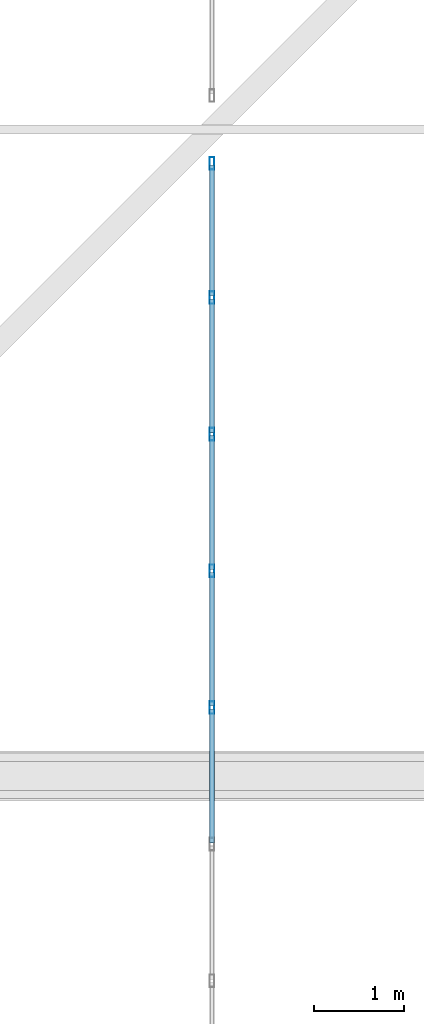
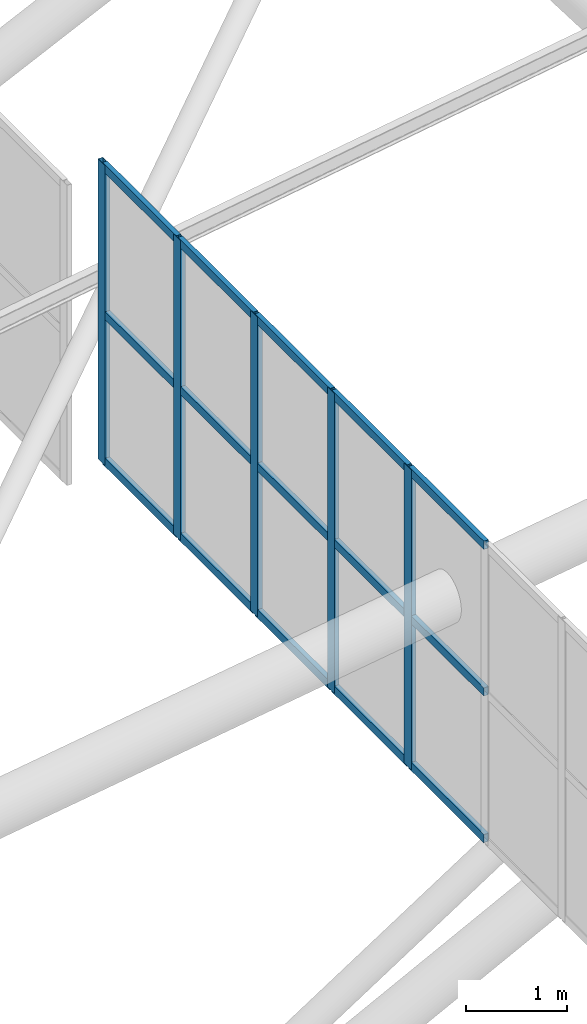
# One storey, part 185 of 397: 20 members, 1 element without a shape of its own.
"""IFC4 building model written with IfcOpenShell, lengths in metres."""

from ifc_helpers import new_model, si_unit, direction, frame, origin, origin_2d, place, context, subcontext, project, spatial, hollow_rectangle, extrude, material, material_profile, profile_set, type_object, element, aggregate, save


model = new_model("IFC4")

# Units and contexts
model_context = context("Model", 3, precision=1e-05, world=origin(), true_north=direction((0.0, 1.0)))
body_context = subcontext(model_context, "Body", "Model", "MODEL_VIEW")
ifc_project = project(units=[si_unit("LENGTHUNIT", "METRE"), si_unit("AREAUNIT", "SQUARE_METRE"), si_unit("VOLUMEUNIT", "CUBIC_METRE"), si_unit("PLANEANGLEUNIT", "RADIAN"), si_unit("MASSUNIT", "GRAM", prefix="KILO")], contexts=[model_context])

# Site, building, storey
site_placement = place(None, origin())
site = spatial("IfcSite", under=ifc_project, at=site_placement, CompositionType="ELEMENT")
building_placement = place(site_placement, origin())
building = spatial("IfcBuilding", under=site, at=building_placement, Name="Qandorah Velis Arena", CompositionType="ELEMENT")
storey_placement = place(building_placement, frame((0.0, 0.0, 27.5)))
storey = spatial("IfcBuildingStorey", under=building, at=storey_placement, Name="RF", CompositionType="ELEMENT", Elevation=27.5)

# Curtain wall, members
ifc_material_1 = material(Name="Solar-control low-E double glazing", Category="glass")
curtain_wall_type = type_object("IfcCurtainWallType", Name="ARC-CW-SYS10", PredefinedType="USERDEFINED", material=ifc_material_1)
curtain_wall_placement = place(storey_placement, origin())
curtain_wall = element("IfcCurtainWall", 1, at=curtain_wall_placement, inside=storey, type_object=curtain_wall_type, Name="Unitised curtain wall MON-1-4", ObjectType="UNITISED CURTAIN WALL", PredefinedType="USERDEFINED")
ifc_material_2 = material(Name="Champagne-bronze anodized aluminium 6063-T6", Category="aluminium")
ifc_material_profile_1 = material_profile(ifc_material_2, hollow_rectangle(XDim=0.054931640625, YDim=0.139892578125, WallThickness=0.0029296875, at=origin_2d()), Name="ALU MULLION 55x140")
ifc_profile_set_1 = profile_set([ifc_material_profile_1], Name="Champagne-bronze anodized aluminium 6063-T6")
member_type_1 = type_object("IfcMemberType", Name="ARC-CWM-140", PredefinedType="MULLION", material=ifc_profile_set_1)
member_1_placement = place(storey_placement, frame((21.60009765625, 72.76123046875, 5.830322265625), z_axis=(0.0, 0.0, 1.0), x_axis=(-1.0, 0.0, 0.0)))
member_1 = element("IfcMember", 2, at=member_1_placement, type_object=member_type_1, Name="CW10 mullion 6", PredefinedType="MULLION", context=body_context, shape_type="SweptSolid", body=[
    extrude(hollow_rectangle(XDim=0.054931640625, YDim=0.139892578125, WallThickness=0.0029296875, at=origin_2d()), origin(), (0.0, 0.0, 1.0), 3.6298828125),
])
member_2_placement = place(storey_placement, frame((21.60009765625, 74.283447265625, 5.830322265625), z_axis=(0.0, 0.0, 1.0), x_axis=(-1.0, 0.0, 0.0)))
member_2 = element("IfcMember", 3, at=member_2_placement, type_object=member_type_1, Name="CW10 mullion 7", PredefinedType="MULLION", context=body_context, shape_type="SweptSolid", body=[
    extrude(hollow_rectangle(XDim=0.054931640625, YDim=0.139892578125, WallThickness=0.0029296875, at=origin_2d()), origin(), (0.0, 0.0, 1.0), 3.6298828125),
])
member_3_placement = place(storey_placement, frame((21.60009765625, 75.8056640625, 5.830322265625), z_axis=(0.0, 0.0, 1.0), x_axis=(-1.0, 0.0, 0.0)))
member_3 = element("IfcMember", 4, at=member_3_placement, type_object=member_type_1, Name="CW10 mullion 8", PredefinedType="MULLION", context=body_context, shape_type="SweptSolid", body=[
    extrude(hollow_rectangle(XDim=0.054931640625, YDim=0.139892578125, WallThickness=0.0029296875, at=origin_2d()), origin(), (0.0, 0.0, 1.0), 3.6298828125),
])
member_4_placement = place(storey_placement, frame((21.60009765625, 77.327880859375, 5.830322265625), z_axis=(0.0, 0.0, 1.0), x_axis=(-1.0, 0.0, 0.0)))
member_4 = element("IfcMember", 5, at=member_4_placement, type_object=member_type_1, Name="CW10 mullion 9", PredefinedType="MULLION", context=body_context, shape_type="SweptSolid", body=[
    extrude(hollow_rectangle(XDim=0.054931640625, YDim=0.139892578125, WallThickness=0.0029296875, at=origin_2d()), origin(), (0.0, 0.0, 1.0), 3.6298828125),
])
member_5_placement = place(storey_placement, frame((21.60009765625, 78.822509765625, 5.830322265625), z_axis=(0.0, 0.0, 1.0), x_axis=(-1.0, 0.0, 0.0)))
member_5 = element("IfcMember", 6, at=member_5_placement, type_object=member_type_1, Name="CW10 mullion 10", PredefinedType="MULLION", context=body_context, shape_type="SweptSolid", body=[
    extrude(hollow_rectangle(XDim=0.054931640625, YDim=0.139892578125, WallThickness=0.0029296875, at=origin_2d()), origin(), (0.0, 0.0, 1.0), 3.6298828125),
])
ifc_material_profile_2 = material_profile(ifc_material_2, hollow_rectangle(XDim=0.054931640625, YDim=0.10009765625, WallThickness=0.0029296875, at=origin_2d()), Name="ALU TRANSOM 55x100")
ifc_profile_set_2 = profile_set([ifc_material_profile_2], Name="Champagne-bronze anodized aluminium 6063-T6")
member_type_2 = type_object("IfcMemberType", Name="ARC-CWT-100", PredefinedType="USERDEFINED", material=ifc_profile_set_2)
member_6_placement = place(storey_placement, frame((21.60009765625, 71.25439453125, 5.872802734375), z_axis=(0.0, 1.0, 0.0), x_axis=(-1.0, 0.0, 0.0)))
member_6 = element("IfcMember", 7, at=member_6_placement, type_object=member_type_2, Name="CW10 transom 5.1", ObjectType="TRANSOM", PredefinedType="USERDEFINED", context=body_context, shape_type="SweptSolid", body=[
    extrude(hollow_rectangle(XDim=0.054931640625, YDim=0.10009765625, WallThickness=0.0029296875, at=origin_2d()), origin(), (0.0, 0.0, 1.0), 1.4912109375),
])
member_7_placement = place(storey_placement, frame((21.60009765625, 71.25439453125, 7.645263671875), z_axis=(0.0, 1.0, 0.0), x_axis=(-1.0, 0.0, 0.0)))
member_7 = element("IfcMember", 8, at=member_7_placement, type_object=member_type_2, Name="CW10 transom 5.2", ObjectType="TRANSOM", PredefinedType="USERDEFINED", context=body_context, shape_type="SweptSolid", body=[
    extrude(hollow_rectangle(XDim=0.054931640625, YDim=0.10009765625, WallThickness=0.0029296875, at=origin_2d()), origin(), (0.0, 0.0, 1.0), 1.4912109375),
])
member_8_placement = place(storey_placement, frame((21.60009765625, 71.25439453125, 9.417724609375), z_axis=(0.0, 1.0, 0.0), x_axis=(-1.0, 0.0, 0.0)))
member_8 = element("IfcMember", 9, at=member_8_placement, type_object=member_type_2, Name="CW10 transom 5.3", ObjectType="TRANSOM", PredefinedType="USERDEFINED", context=body_context, shape_type="SweptSolid", body=[
    extrude(hollow_rectangle(XDim=0.054931640625, YDim=0.10009765625, WallThickness=0.0029296875, at=origin_2d()), origin(), (0.0, 0.0, 1.0), 1.4912109375),
])
member_9_placement = place(storey_placement, frame((21.60009765625, 72.776611328125, 5.872802734375), z_axis=(0.0, 1.0, 0.0), x_axis=(-1.0, 0.0, 0.0)))
member_9 = element("IfcMember", 10, at=member_9_placement, type_object=member_type_2, Name="CW10 transom 6.1", ObjectType="TRANSOM", PredefinedType="USERDEFINED", context=body_context, shape_type="SweptSolid", body=[
    extrude(hollow_rectangle(XDim=0.054931640625, YDim=0.10009765625, WallThickness=0.0029296875, at=origin_2d()), origin(), (0.0, 0.0, 1.0), 1.4912109375),
])
member_10_placement = place(storey_placement, frame((21.60009765625, 72.776611328125, 7.645263671875), z_axis=(0.0, 1.0, 0.0), x_axis=(-1.0, 0.0, 0.0)))
member_10 = element("IfcMember", 11, at=member_10_placement, type_object=member_type_2, Name="CW10 transom 6.2", ObjectType="TRANSOM", PredefinedType="USERDEFINED", context=body_context, shape_type="SweptSolid", body=[
    extrude(hollow_rectangle(XDim=0.054931640625, YDim=0.10009765625, WallThickness=0.0029296875, at=origin_2d()), origin(), (0.0, 0.0, 1.0), 1.4912109375),
])
member_11_placement = place(storey_placement, frame((21.60009765625, 72.776611328125, 9.417724609375), z_axis=(0.0, 1.0, 0.0), x_axis=(-1.0, 0.0, 0.0)))
member_11 = element("IfcMember", 12, at=member_11_placement, type_object=member_type_2, Name="CW10 transom 6.3", ObjectType="TRANSOM", PredefinedType="USERDEFINED", context=body_context, shape_type="SweptSolid", body=[
    extrude(hollow_rectangle(XDim=0.054931640625, YDim=0.10009765625, WallThickness=0.0029296875, at=origin_2d()), origin(), (0.0, 0.0, 1.0), 1.4912109375),
])
member_12_placement = place(storey_placement, frame((21.60009765625, 74.298828125, 5.872802734375), z_axis=(0.0, 1.0, 0.0), x_axis=(-1.0, 0.0, 0.0)))
member_12 = element("IfcMember", 13, at=member_12_placement, type_object=member_type_2, Name="CW10 transom 7.1", ObjectType="TRANSOM", PredefinedType="USERDEFINED", context=body_context, shape_type="SweptSolid", body=[
    extrude(hollow_rectangle(XDim=0.054931640625, YDim=0.10009765625, WallThickness=0.0029296875, at=origin_2d()), origin(), (0.0, 0.0, 1.0), 1.4912109375),
])
member_13_placement = place(storey_placement, frame((21.60009765625, 74.298828125, 7.645263671875), z_axis=(0.0, 1.0, 0.0), x_axis=(-1.0, 0.0, 0.0)))
member_13 = element("IfcMember", 14, at=member_13_placement, type_object=member_type_2, Name="CW10 transom 7.2", ObjectType="TRANSOM", PredefinedType="USERDEFINED", context=body_context, shape_type="SweptSolid", body=[
    extrude(hollow_rectangle(XDim=0.054931640625, YDim=0.10009765625, WallThickness=0.0029296875, at=origin_2d()), origin(), (0.0, 0.0, 1.0), 1.4912109375),
])
member_14_placement = place(storey_placement, frame((21.60009765625, 74.298828125, 9.417724609375), z_axis=(0.0, 1.0, 0.0), x_axis=(-1.0, 0.0, 0.0)))
member_14 = element("IfcMember", 15, at=member_14_placement, type_object=member_type_2, Name="CW10 transom 7.3", ObjectType="TRANSOM", PredefinedType="USERDEFINED", context=body_context, shape_type="SweptSolid", body=[
    extrude(hollow_rectangle(XDim=0.054931640625, YDim=0.10009765625, WallThickness=0.0029296875, at=origin_2d()), origin(), (0.0, 0.0, 1.0), 1.4912109375),
])
member_15_placement = place(storey_placement, frame((21.60009765625, 75.821044921875, 5.872802734375), z_axis=(0.0, 1.0, 0.0), x_axis=(-1.0, 0.0, 0.0)))
member_15 = element("IfcMember", 16, at=member_15_placement, type_object=member_type_2, Name="CW10 transom 8.1", ObjectType="TRANSOM", PredefinedType="USERDEFINED", context=body_context, shape_type="SweptSolid", body=[
    extrude(hollow_rectangle(XDim=0.054931640625, YDim=0.10009765625, WallThickness=0.0029296875, at=origin_2d()), origin(), (0.0, 0.0, 1.0), 1.4912109375),
])
member_16_placement = place(storey_placement, frame((21.60009765625, 75.821044921875, 7.645263671875), z_axis=(0.0, 1.0, 0.0), x_axis=(-1.0, 0.0, 0.0)))
member_16 = element("IfcMember", 17, at=member_16_placement, type_object=member_type_2, Name="CW10 transom 8.2", ObjectType="TRANSOM", PredefinedType="USERDEFINED", context=body_context, shape_type="SweptSolid", body=[
    extrude(hollow_rectangle(XDim=0.054931640625, YDim=0.10009765625, WallThickness=0.0029296875, at=origin_2d()), origin(), (0.0, 0.0, 1.0), 1.4912109375),
])
member_17_placement = place(storey_placement, frame((21.60009765625, 75.821044921875, 9.417724609375), z_axis=(0.0, 1.0, 0.0), x_axis=(-1.0, 0.0, 0.0)))
member_17 = element("IfcMember", 18, at=member_17_placement, type_object=member_type_2, Name="CW10 transom 8.3", ObjectType="TRANSOM", PredefinedType="USERDEFINED", context=body_context, shape_type="SweptSolid", body=[
    extrude(hollow_rectangle(XDim=0.054931640625, YDim=0.10009765625, WallThickness=0.0029296875, at=origin_2d()), origin(), (0.0, 0.0, 1.0), 1.4912109375),
])
member_18_placement = place(storey_placement, frame((21.60009765625, 77.34326171875, 5.872802734375), z_axis=(0.0, 1.0, 0.0), x_axis=(-1.0, 0.0, 0.0)))
member_18 = element("IfcMember", 19, at=member_18_placement, type_object=member_type_2, Name="CW10 transom 9.1", ObjectType="TRANSOM", PredefinedType="USERDEFINED", context=body_context, shape_type="SweptSolid", body=[
    extrude(hollow_rectangle(XDim=0.054931640625, YDim=0.10009765625, WallThickness=0.0029296875, at=origin_2d()), origin(), (0.0, 0.0, 1.0), 1.463623046875),
])
member_19_placement = place(storey_placement, frame((21.60009765625, 77.34326171875, 7.645263671875), z_axis=(0.0, 1.0, 0.0), x_axis=(-1.0, 0.0, 0.0)))
member_19 = element("IfcMember", 20, at=member_19_placement, type_object=member_type_2, Name="CW10 transom 9.2", ObjectType="TRANSOM", PredefinedType="USERDEFINED", context=body_context, shape_type="SweptSolid", body=[
    extrude(hollow_rectangle(XDim=0.054931640625, YDim=0.10009765625, WallThickness=0.0029296875, at=origin_2d()), origin(), (0.0, 0.0, 1.0), 1.463623046875),
])
member_20_placement = place(storey_placement, frame((21.60009765625, 77.34326171875, 9.417724609375), z_axis=(0.0, 1.0, 0.0), x_axis=(-1.0, 0.0, 0.0)))
member_20 = element("IfcMember", 21, at=member_20_placement, type_object=member_type_2, Name="CW10 transom 9.3", ObjectType="TRANSOM", PredefinedType="USERDEFINED", context=body_context, shape_type="SweptSolid", body=[
    extrude(hollow_rectangle(XDim=0.054931640625, YDim=0.10009765625, WallThickness=0.0029296875, at=origin_2d()), origin(), (0.0, 0.0, 1.0), 1.463623046875),
])
aggregate(curtain_wall, [member_1, member_2, member_3, member_4, member_5, member_6, member_7, member_8, member_9, member_10, member_11, member_12, member_13, member_14, member_15, member_16, member_17, member_18, member_19, member_20])

save(model, "model.ifc")
